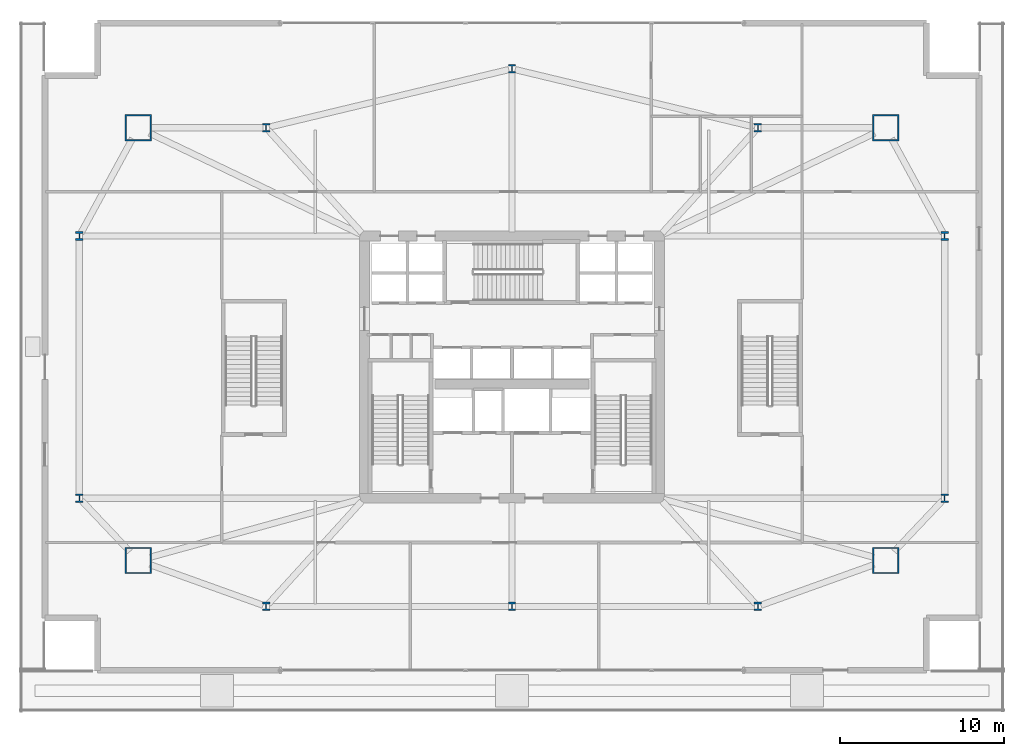
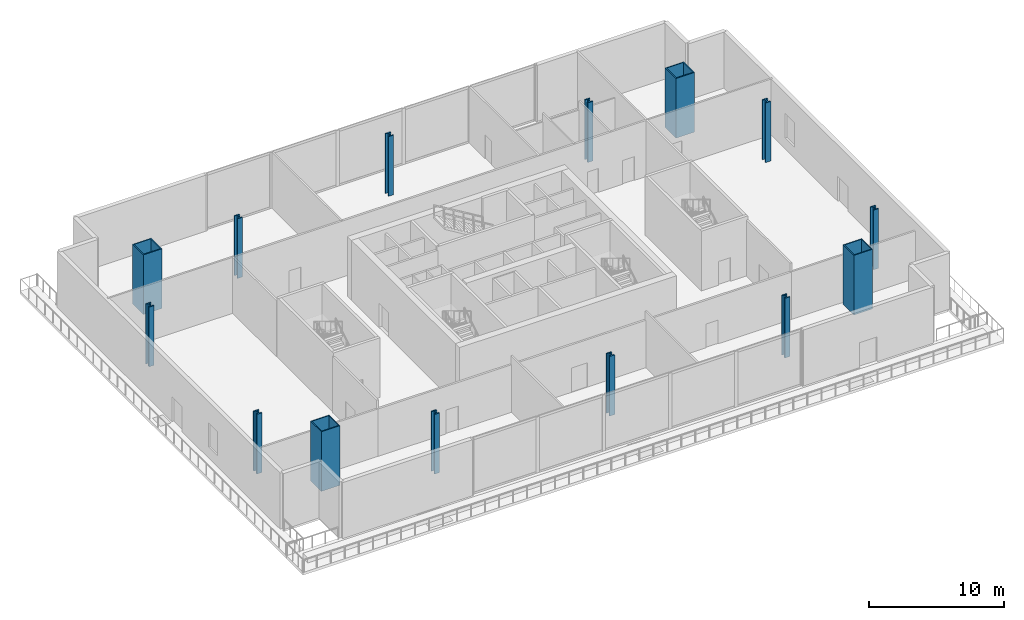
# One storey, part 1 of 20: 14 columns.
"""IFC4 building model written with IfcOpenShell, lengths in metres."""

from ifc_helpers import new_model, si_unit, direction, frame, origin, origin_2d, place, context, subcontext, project, spatial, hollow_rectangle, i_section, extrude, material, material_profile, profile_set, type_object, element, save


model = new_model("IFC4")

# Units and contexts
model_context = context("Model", 3, precision=1e-05, world=origin(), true_north=direction((0.0, 1.0)))
body_context = subcontext(model_context, "Body", "Model", "MODEL_VIEW")
ifc_project = project(units=[si_unit("LENGTHUNIT", "METRE"), si_unit("AREAUNIT", "SQUARE_METRE"), si_unit("VOLUMEUNIT", "CUBIC_METRE"), si_unit("PLANEANGLEUNIT", "RADIAN"), si_unit("MASSUNIT", "GRAM", prefix="KILO")], contexts=[model_context])

# Site, building, storey
site_placement = place(None, origin())
site = spatial("IfcSite", under=ifc_project, at=site_placement, CompositionType="ELEMENT")
building_placement = place(site_placement, origin())
building = spatial("IfcBuilding", under=site, at=building_placement, Name="Haldenkirk Collegiate Tower", CompositionType="ELEMENT")
storey_placement = place(building_placement, frame((0.0, 0.0, 11.39990234375)))
storey = spatial("IfcBuildingStorey", under=building, at=storey_placement, Name="L02", CompositionType="ELEMENT", Elevation=11.39990234375)

# Columns
ifc_material_1 = material(Name="Steel ASTM A913 Grade 65", Category="steel")
ifc_material_profile_1 = material_profile(ifc_material_1, i_section(OverallWidth=0.44189453125, OverallDepth=0.531005859375, WebThickness=0.06591796875, FlangeThickness=0.105712890625, at=origin_2d()), Name="W14X605")
ifc_profile_set_1 = profile_set([ifc_material_profile_1], Name="Steel ASTM A913 Grade 65")
column_type_1 = type_object("IfcColumnType", Name="COL-INT-W14X605", PredefinedType="COLUMN", material=ifc_profile_set_1)
for number, where, z_axis, x_axis, name in (
    (1, (9.60009765625, 18.0, 0.0), (0.0, 0.0, 1.0), (1.0, 0.0, 0.0), "L02 podium transfer support column PPC-W1"),
    (2, (9.60009765625, 34.0, 0.0), (0.0, 0.0, 1.0), (1.0, 0.0, 0.0), "L02 podium transfer support column PPC-W2"),
    (3, (62.39990234375, 18.0, 0.0), (0.0, 0.0, 1.0), (1.0, 0.0, 0.0), "L02 podium transfer support column PPC-E1"),
    (4, (62.39990234375, 34.0, 0.0), (0.0, 0.0, 1.0), (1.0, 0.0, 0.0), "L02 podium transfer support column PPC-E2"),
    (5, (21.0, 11.39990234375, 0.0), (0.0, 0.0, 1.0), (1.0, 0.0, 0.0), "L02 podium transfer support column PPC-S1"),
    (6, (51.0, 11.39990234375, 0.0), (0.0, 0.0, 1.0), (1.0, 0.0, 0.0), "L02 podium transfer support column PPC-S2"),
    (7, (21.0, 40.60009765625, 0.0), (0.0, 0.0, 1.0), (1.0, 0.0, 0.0), "L02 podium transfer support column PPC-N1"),
    (8, (51.0, 40.60009765625, 0.0), (0.0, 0.0, 1.0), (1.0, 0.0, 0.0), "L02 podium transfer support column PPC-N2"),
    (9, (36.0, 44.199951171875, 0.0), (0.0, 0.0, 1.0), (1.0, 0.0, 0.0), "L02 podium transfer support column PPC-N3"),
    (10, (36.0, 11.39990234375, 0.0), (0.0, 0.0, 1.0), (1.0, 0.0, 0.0), "L02 podium transfer support column PPC-S3"),
):
    element("IfcColumn", number, at=place(storey_placement, frame(where, z_axis=z_axis, x_axis=x_axis)), inside=storey, type_object=column_type_1, Name=name, PredefinedType="COLUMN", context=body_context, shape_type="SweptSolid", body=[
        extrude(i_section(OverallWidth=0.44189453125, OverallDepth=0.531005859375, WebThickness=0.06591796875, FlangeThickness=0.105712890625, at=origin_2d()), origin(), (0.0, 0.0, 1.0), 5.400146484375),
    ])
ifc_material_2 = material(Name="Steel ASTM A572 Grade 50", Category="steel")
ifc_material_profile_2 = material_profile(ifc_material_2, hollow_rectangle(XDim=1.60009765625, YDim=1.60009765625, WallThickness=0.080078125, at=origin_2d()), Name="BOX1600X1600X80")
ifc_profile_set_2 = profile_set([ifc_material_profile_2], Name="Steel ASTM A572 Grade 50")
column_type_2 = type_object("IfcColumnType", Name="COL-PODMEGA-BOX1600", PredefinedType="COLUMN", material=ifc_profile_set_2)
for number, where, z_axis, x_axis, name in (
    (11, (13.199951171875, 14.199951171875, 0.0), (0.0, 0.0, 1.0), (1.0, 0.0, 0.0), "L02 podium mega-column PMC-SW"),
    (12, (58.800048828125, 14.199951171875, 0.0), (0.0, 0.0, 1.0), (1.0, 0.0, 0.0), "L02 podium mega-column PMC-SE"),
    (13, (58.800048828125, 40.60009765625, 0.0), (0.0, 0.0, 1.0), (1.0, 0.0, 0.0), "L02 podium mega-column PMC-NE"),
    (14, (13.199951171875, 40.60009765625, 0.0), (0.0, 0.0, 1.0), (1.0, 0.0, 0.0), "L02 podium mega-column PMC-NW"),
):
    element("IfcColumn", number, at=place(storey_placement, frame(where, z_axis=z_axis, x_axis=x_axis)), inside=storey, type_object=column_type_2, Name=name, PredefinedType="COLUMN", context=body_context, shape_type="SweptSolid", body=[
        extrude(hollow_rectangle(XDim=1.60009765625, YDim=1.60009765625, WallThickness=0.080078125, at=origin_2d()), origin(), (0.0, 0.0, 1.0), 5.400146484375),
    ])

save(model, "model.ifc")
